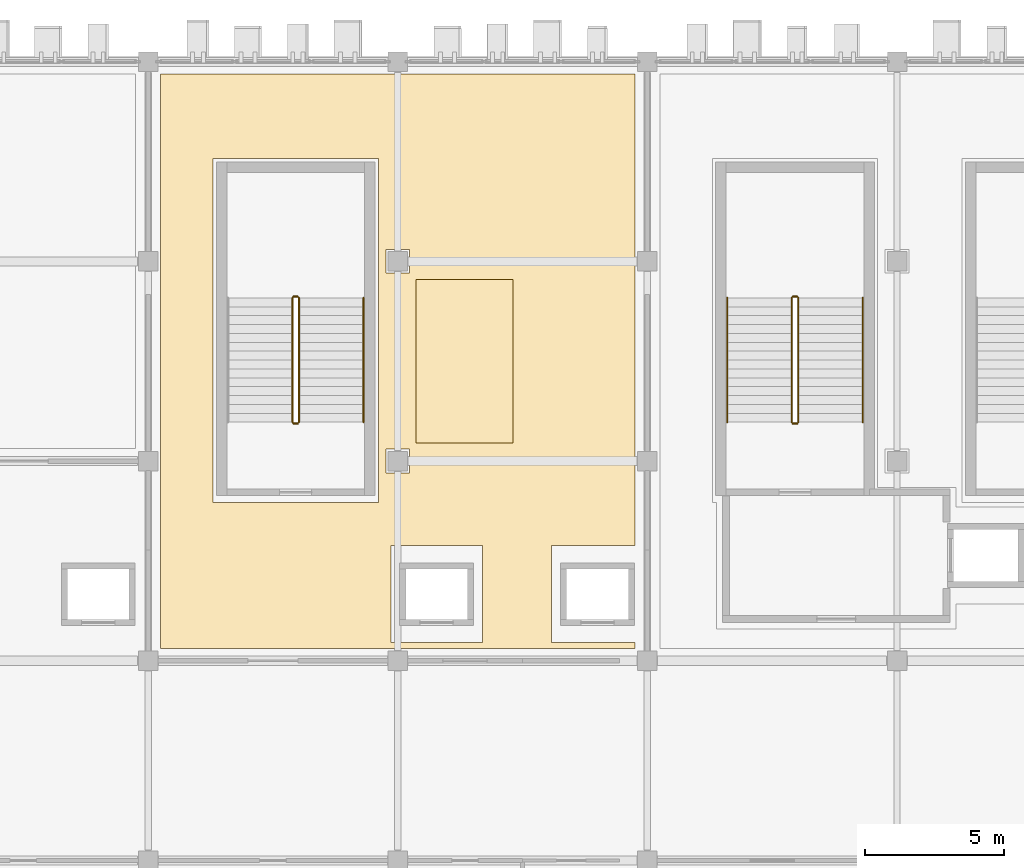
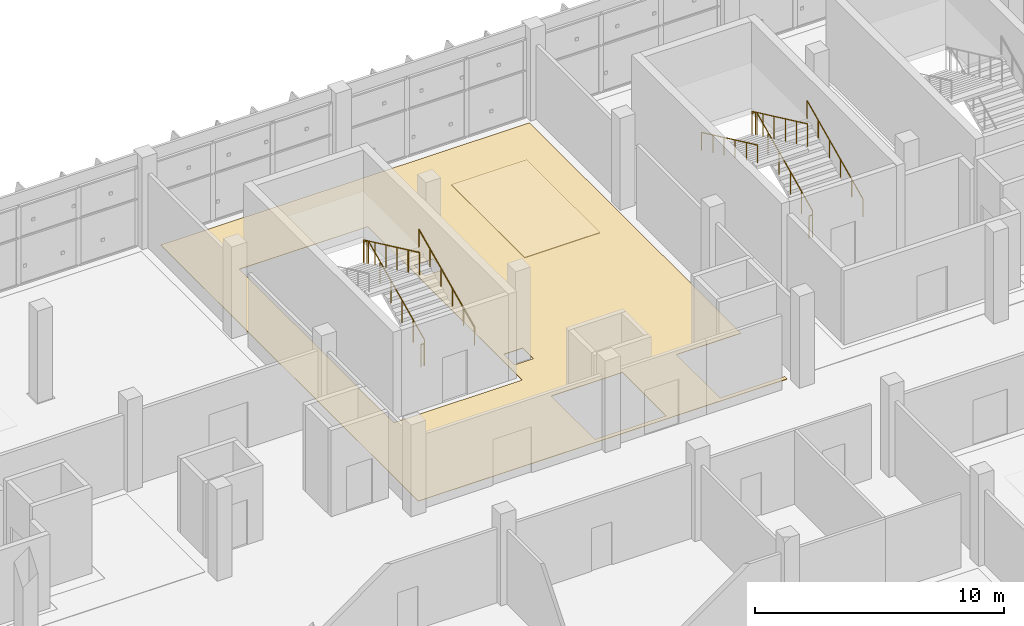
# One storey, part 141 of 151: 11 railings, 2 coverings.
"""IFC4 building model written with IfcOpenShell, lengths in metres."""

from ifc_helpers import new_model, si_unit, direction, frame, origin, origin_2d, place, context, subcontext, project, spatial, polyline, circle, outline, extrude, material, layer, layer_set, type_object, element, save


model = new_model("IFC4")

# Units and contexts
model_context = context("Model", 3, precision=1e-05, world=origin(), true_north=direction((0.0, 1.0)))
body_context = subcontext(model_context, "Body", "Model", "MODEL_VIEW")
ifc_project = project(units=[si_unit("LENGTHUNIT", "METRE"), si_unit("AREAUNIT", "SQUARE_METRE"), si_unit("VOLUMEUNIT", "CUBIC_METRE"), si_unit("PLANEANGLEUNIT", "RADIAN"), si_unit("MASSUNIT", "GRAM", prefix="KILO")], contexts=[model_context])

# Site, building, storey
site_placement = place(None, origin())
site = spatial("IfcSite", under=ifc_project, at=site_placement, CompositionType="ELEMENT")
building_placement = place(site_placement, origin())
building = spatial("IfcBuilding", under=site, at=building_placement, Name="Celestram Park Convention Centre", CompositionType="ELEMENT")
storey_placement = place(building_placement, frame((0.0, 0.0, 10.800048828125)))
storey = spatial("IfcBuildingStorey", under=building, at=storey_placement, Name="L02", CompositionType="ELEMENT", Elevation=10.800048828125)

# Coverings
ifc_material_1 = material(Name="Perforated Acoustic Mineral-Fibre Baffle Ceiling", Category="gypsum")
ifc_layer_1 = layer(ifc_material_1, 0.0400390625)
ifc_layer_set_1 = layer_set([ifc_layer_1], Name="Perforated Acoustic Mineral-Fibre Baffle Ceiling")
covering_type_1 = type_object("IfcCoveringType", Name="ARC-COV-CLG040", PredefinedType="CEILING", material=ifc_layer_set_1)
covering_1_placement = place(storey_placement, frame((0.0, 0.0, 4.2099609375)))
element("IfcCovering", 1, at=covering_1_placement, inside=storey, type_object=covering_type_1, Name="Symposium Hall 203 acoustic baffle ceiling", PredefinedType="CEILING", context=body_context, shape_type="SweptSolid", body=[
    extrude(outline(polyline([(72.64990234375, 151.85009765625), (76.14990234375, 151.85009765625), (76.14990234375, 157.75), (72.64990234375, 157.75), (72.64990234375, 151.85009765625)])), origin(), (0.0, 0.0, 1.0), 0.0400390625),
])
ifc_material_2 = material(Name="Polished Lakefront Aggregate Terrazzo Flooring", Category="concrete")
ifc_layer_2 = layer(ifc_material_2, 0.02001953125)
ifc_layer_set_2 = layer_set([ifc_layer_2], Name="Polished Lakefront Aggregate Terrazzo Flooring")
covering_type_2 = type_object("IfcCoveringType", Name="ARC-COV-FLR020", PredefinedType="FLOORING", material=ifc_layer_set_2)
covering_2_placement = place(storey_placement, origin())
element("IfcCovering", 2, at=covering_2_placement, inside=storey, type_object=covering_type_2, Name="Symposium Hall 203 terrazzo flooring", PredefinedType="FLOORING", context=body_context, shape_type="SweptSolid", body=[
    extrude(outline(polyline([(63.449951171875, 165.14990234375), (80.550048828125, 165.14990234375), (80.550048828125, 148.14990234375), (77.550048828125, 148.14990234375), (77.550048828125, 144.64990234375), (80.550048828125, 144.64990234375), (80.550048828125, 144.449951171875), (63.449951171875, 144.449951171875), (63.449951171875, 165.14990234375)]), holes=[polyline([(75.050048828125, 144.64990234375), (75.050048828125, 148.14990234375), (71.75, 148.14990234375), (71.75, 144.64990234375), (75.050048828125, 144.64990234375)]), polyline([(71.300048828125, 149.699951171875), (71.300048828125, 162.10009765625), (65.340087890625, 162.10009765625), (65.340087890625, 149.699951171875), (71.300048828125, 149.699951171875)]), polyline([(72.427978515625, 151.6279296875), (71.572021484375, 151.6279296875), (71.572021484375, 150.77197265625), (72.427978515625, 150.77197265625), (72.427978515625, 151.6279296875)]), polyline([(72.427978515625, 158.827880859375), (71.572021484375, 158.827880859375), (71.572021484375, 157.971923828125), (72.427978515625, 157.971923828125), (72.427978515625, 158.827880859375)])]), origin(), (0.0, 0.0, 1.0), 0.02001953125),
])

# Railings
ifc_material_3 = material(Name="Stainless Steel AISI 316L & Laminated Glass", Category="steel")
ifc_layer_3 = layer(ifc_material_3, 0.06005859375)
ifc_layer_set_3 = layer_set([ifc_layer_3], Name="Stainless Steel AISI 316L & Laminated Glass")
railing_type_1 = type_object("IfcRailingType", Name="ARC-RL-GRD1120", PredefinedType="GUARDRAIL", material=ifc_layer_set_3)
railing_1_placement = place(storey_placement, frame((86.43603515625, 152.60009765625, 0.14990234375)))
element("IfcRailing", 3, at=railing_1_placement, inside=storey, type_object=railing_type_1, Name="L02 ST-02 stair guard 1", PredefinedType="GUARDRAIL", context=body_context, shape_type="SweptSolid", body=[
    extrude(circle(Radius=0.02392578125, at=origin_2d()), frame((0.0, 0.0, 1.09619140625), z_axis=(0.0, 0.905450639465, 0.424451574969), x_axis=(-1.0, 0.0, 0.0)), (0.0, 0.0, 1.0), 4.94775390625),
    extrude(circle(Radius=0.02099609375, at=origin_2d()), origin(), (0.0, 0.0, 1.0), 1.072021484375),
    extrude(circle(Radius=0.02099609375, at=origin_2d()), frame((0.0, 0.89599609375, 0.419921875)), (0.0, 0.0, 1.0), 1.072021484375),
    extrude(circle(Radius=0.02099609375, at=origin_2d()), frame((0.0, 1.7919921875, 0.840087890625)), (0.0, 0.0, 1.0), 1.072021484375),
    extrude(circle(Radius=0.02099609375, at=origin_2d()), frame((0.0, 2.68798828125, 1.260009765625)), (0.0, 0.0, 1.0), 1.072021484375),
    extrude(circle(Radius=0.02099609375, at=origin_2d()), frame((0.0, 3.583984375, 1.68017578125)), (0.0, 0.0, 1.0), 1.072021484375),
    extrude(circle(Radius=0.02099609375, at=origin_2d()), frame((0.0, 4.47998046875, 2.10009765625)), (0.0, 0.0, 1.0), 1.072021484375),
])
railing_2_placement = place(storey_placement, frame((86.39990234375, 157.1298828125, 2.25)))
element("IfcRailing", 4, at=railing_2_placement, inside=storey, type_object=railing_type_1, Name="L02 ST-02 stair guard 2", PredefinedType="GUARDRAIL", context=body_context, shape_type="SweptSolid", body=[
    extrude(circle(Radius=0.02392578125, at=origin_2d()), frame((0.0, 0.0, 1.09619140625), z_axis=(-1.0, 0.0, 0.0), x_axis=(0.0, -1.0, 0.0)), (0.0, 0.0, 1.0), 0.159912109375),
    extrude(circle(Radius=0.02099609375, at=origin_2d()), origin(), (0.0, 0.0, 1.0), 1.072021484375),
    extrude(circle(Radius=0.02099609375, at=origin_2d()), frame((-0.159912109375, 0.0, 0.0)), (0.0, 0.0, 1.0), 1.072021484375),
])
railing_3_placement = place(storey_placement, frame((86.2041015625, 157.080078125, 2.39990234375)))
element("IfcRailing", 5, at=railing_3_placement, inside=storey, type_object=railing_type_1, Name="L02 ST-02 stair guard 3", PredefinedType="GUARDRAIL", context=body_context, shape_type="SweptSolid", body=[
    extrude(circle(Radius=0.02392578125, at=origin_2d()), frame((0.0, 0.0, 1.09619140625), z_axis=(0.0, -0.905450639465, 0.424451574969), x_axis=(1.0, 0.0, 0.0)), (0.0, 0.0, 1.0), 4.94775390625),
    extrude(circle(Radius=0.02099609375, at=origin_2d()), origin(), (0.0, 0.0, 1.0), 1.072021484375),
    extrude(circle(Radius=0.02099609375, at=origin_2d()), frame((0.0, -0.89599609375, 0.419921875)), (0.0, 0.0, 1.0), 1.072021484375),
    extrude(circle(Radius=0.02099609375, at=origin_2d()), frame((0.0, -1.7919921875, 0.840087890625)), (0.0, 0.0, 1.0), 1.072021484375),
    extrude(circle(Radius=0.02099609375, at=origin_2d()), frame((0.0, -2.68798828125, 1.260009765625)), (0.0, 0.0, 1.0), 1.072021484375),
    extrude(circle(Radius=0.02099609375, at=origin_2d()), frame((0.0, -3.583984375, 1.68017578125)), (0.0, 0.0, 1.0), 1.072021484375),
    extrude(circle(Radius=0.02099609375, at=origin_2d()), frame((0.0, -4.47998046875, 2.10009765625)), (0.0, 0.0, 1.0), 1.072021484375),
])
railing_4_placement = place(storey_placement, frame((86.39990234375, 152.550048828125, 0.0)))
element("IfcRailing", 6, at=railing_4_placement, inside=storey, type_object=railing_type_1, Name="L02 ST-02 stair guard 4", PredefinedType="GUARDRAIL", context=body_context, shape_type="SweptSolid", body=[
    extrude(circle(Radius=0.02392578125, at=origin_2d()), frame((0.0, 0.0, 1.09619140625), z_axis=(-1.0, 0.0, 0.0), x_axis=(0.0, -1.0, 0.0)), (0.0, 0.0, 1.0), 0.159912109375),
    extrude(circle(Radius=0.02099609375, at=origin_2d()), origin(), (0.0, 0.0, 1.0), 1.072021484375),
    extrude(circle(Radius=0.02099609375, at=origin_2d()), frame((-0.159912109375, 0.0, 0.0)), (0.0, 0.0, 1.0), 1.072021484375),
])
railing_5_placement = place(storey_placement, frame((68.43603515625, 152.60009765625, 0.14990234375)))
element("IfcRailing", 7, at=railing_5_placement, inside=storey, type_object=railing_type_1, Name="L02 ST-14 stair guard 1", PredefinedType="GUARDRAIL", context=body_context, shape_type="SweptSolid", body=[
    extrude(circle(Radius=0.02392578125, at=origin_2d()), frame((0.0, 0.0, 1.09619140625), z_axis=(0.0, 0.905450639465, 0.424451574969), x_axis=(-1.0, 0.0, 0.0)), (0.0, 0.0, 1.0), 4.94775390625),
    extrude(circle(Radius=0.02099609375, at=origin_2d()), origin(), (0.0, 0.0, 1.0), 1.072021484375),
    extrude(circle(Radius=0.02099609375, at=origin_2d()), frame((0.0, 0.89599609375, 0.419921875)), (0.0, 0.0, 1.0), 1.072021484375),
    extrude(circle(Radius=0.02099609375, at=origin_2d()), frame((0.0, 1.7919921875, 0.840087890625)), (0.0, 0.0, 1.0), 1.072021484375),
    extrude(circle(Radius=0.02099609375, at=origin_2d()), frame((0.0, 2.68798828125, 1.260009765625)), (0.0, 0.0, 1.0), 1.072021484375),
    extrude(circle(Radius=0.02099609375, at=origin_2d()), frame((0.0, 3.583984375, 1.68017578125)), (0.0, 0.0, 1.0), 1.072021484375),
    extrude(circle(Radius=0.02099609375, at=origin_2d()), frame((0.0, 4.47998046875, 2.10009765625)), (0.0, 0.0, 1.0), 1.072021484375),
])
railing_6_placement = place(storey_placement, frame((68.39990234375, 157.1298828125, 2.25)))
element("IfcRailing", 8, at=railing_6_placement, inside=storey, type_object=railing_type_1, Name="L02 ST-14 stair guard 2", PredefinedType="GUARDRAIL", context=body_context, shape_type="SweptSolid", body=[
    extrude(circle(Radius=0.02392578125, at=origin_2d()), frame((0.0, 0.0, 1.09619140625), z_axis=(-1.0, 0.0, 0.0), x_axis=(0.0, -1.0, 0.0)), (0.0, 0.0, 1.0), 0.159912109375),
    extrude(circle(Radius=0.02099609375, at=origin_2d()), origin(), (0.0, 0.0, 1.0), 1.072021484375),
    extrude(circle(Radius=0.02099609375, at=origin_2d()), frame((-0.159912109375, 0.0, 0.0)), (0.0, 0.0, 1.0), 1.072021484375),
])
railing_7_placement = place(storey_placement, frame((68.2041015625, 157.080078125, 2.39990234375)))
element("IfcRailing", 9, at=railing_7_placement, inside=storey, type_object=railing_type_1, Name="L02 ST-14 stair guard 3", PredefinedType="GUARDRAIL", context=body_context, shape_type="SweptSolid", body=[
    extrude(circle(Radius=0.02392578125, at=origin_2d()), frame((0.0, 0.0, 1.09619140625), z_axis=(0.0, -0.905450639465, 0.424451574969), x_axis=(1.0, 0.0, 0.0)), (0.0, 0.0, 1.0), 4.94775390625),
    extrude(circle(Radius=0.02099609375, at=origin_2d()), origin(), (0.0, 0.0, 1.0), 1.072021484375),
    extrude(circle(Radius=0.02099609375, at=origin_2d()), frame((0.0, -0.89599609375, 0.419921875)), (0.0, 0.0, 1.0), 1.072021484375),
    extrude(circle(Radius=0.02099609375, at=origin_2d()), frame((0.0, -1.7919921875, 0.840087890625)), (0.0, 0.0, 1.0), 1.072021484375),
    extrude(circle(Radius=0.02099609375, at=origin_2d()), frame((0.0, -2.68798828125, 1.260009765625)), (0.0, 0.0, 1.0), 1.072021484375),
    extrude(circle(Radius=0.02099609375, at=origin_2d()), frame((0.0, -3.583984375, 1.68017578125)), (0.0, 0.0, 1.0), 1.072021484375),
    extrude(circle(Radius=0.02099609375, at=origin_2d()), frame((0.0, -4.47998046875, 2.10009765625)), (0.0, 0.0, 1.0), 1.072021484375),
])
railing_8_placement = place(storey_placement, frame((68.39990234375, 152.550048828125, 0.0)))
element("IfcRailing", 10, at=railing_8_placement, inside=storey, type_object=railing_type_1, Name="L02 ST-14 stair guard 4", PredefinedType="GUARDRAIL", context=body_context, shape_type="SweptSolid", body=[
    extrude(circle(Radius=0.02392578125, at=origin_2d()), frame((0.0, 0.0, 1.09619140625), z_axis=(-1.0, 0.0, 0.0), x_axis=(0.0, -1.0, 0.0)), (0.0, 0.0, 1.0), 0.159912109375),
    extrude(circle(Radius=0.02099609375, at=origin_2d()), origin(), (0.0, 0.0, 1.0), 1.072021484375),
    extrude(circle(Radius=0.02099609375, at=origin_2d()), frame((-0.159912109375, 0.0, 0.0)), (0.0, 0.0, 1.0), 1.072021484375),
])
ifc_material_4 = material(Name="Brushed Stainless Steel AISI 304", Category="steel")
ifc_layer_4 = layer(ifc_material_4, 0.048095703125)
ifc_layer_set_4 = layer_set([ifc_layer_4], Name="Brushed Stainless Steel AISI 304")
railing_type_2 = type_object("IfcRailingType", Name="ARC-RL-HND915", PredefinedType="HANDRAIL", material=ifc_layer_set_4)
railing_9_placement = place(storey_placement, frame((88.763916015625, 152.60009765625, 0.14990234375)))
element("IfcRailing", 11, at=railing_9_placement, inside=storey, type_object=railing_type_2, Name="L02 ST-02 stair handrail 1", PredefinedType="HANDRAIL", context=body_context, shape_type="SweptSolid", body=[
    extrude(circle(Radius=0.02392578125, at=origin_2d()), frame((0.0, 0.0, 0.8759765625), z_axis=(0.0, 0.905450639465, 0.424451574969), x_axis=(-1.0, 0.0, 0.0)), (0.0, 0.0, 1.0), 4.94775390625),
    extrude(circle(Radius=0.02099609375, at=origin_2d()), origin(), (0.0, 0.0, 1.0), 0.851806640625),
    extrude(circle(Radius=0.02099609375, at=origin_2d()), frame((0.0, 0.89599609375, 0.419921875)), (0.0, 0.0, 1.0), 0.851806640625),
    extrude(circle(Radius=0.02099609375, at=origin_2d()), frame((0.0, 1.7919921875, 0.840087890625)), (0.0, 0.0, 1.0), 0.851806640625),
    extrude(circle(Radius=0.02099609375, at=origin_2d()), frame((0.0, 2.68798828125, 1.260009765625)), (0.0, 0.0, 1.0), 0.851806640625),
    extrude(circle(Radius=0.02099609375, at=origin_2d()), frame((0.0, 3.583984375, 1.68017578125)), (0.0, 0.0, 1.0), 0.851806640625),
    extrude(circle(Radius=0.02099609375, at=origin_2d()), frame((0.0, 4.47998046875, 2.10009765625)), (0.0, 0.0, 1.0), 0.851806640625),
])
railing_10_placement = place(storey_placement, frame((83.8759765625, 157.080078125, 2.39990234375)))
element("IfcRailing", 12, at=railing_10_placement, inside=storey, type_object=railing_type_2, Name="L02 ST-02 stair handrail 2", PredefinedType="HANDRAIL", context=body_context, shape_type="SweptSolid", body=[
    extrude(circle(Radius=0.02392578125, at=origin_2d()), frame((0.0, 0.0, 0.8759765625), z_axis=(0.0, -0.905450639465, 0.424451574969), x_axis=(1.0, 0.0, 0.0)), (0.0, 0.0, 1.0), 4.94775390625),
    extrude(circle(Radius=0.02099609375, at=origin_2d()), origin(), (0.0, 0.0, 1.0), 0.851806640625),
    extrude(circle(Radius=0.02099609375, at=origin_2d()), frame((0.0, -0.89599609375, 0.419921875)), (0.0, 0.0, 1.0), 0.851806640625),
    extrude(circle(Radius=0.02099609375, at=origin_2d()), frame((0.0, -1.7919921875, 0.840087890625)), (0.0, 0.0, 1.0), 0.851806640625),
    extrude(circle(Radius=0.02099609375, at=origin_2d()), frame((0.0, -2.68798828125, 1.260009765625)), (0.0, 0.0, 1.0), 0.851806640625),
    extrude(circle(Radius=0.02099609375, at=origin_2d()), frame((0.0, -3.583984375, 1.68017578125)), (0.0, 0.0, 1.0), 0.851806640625),
    extrude(circle(Radius=0.02099609375, at=origin_2d()), frame((0.0, -4.47998046875, 2.10009765625)), (0.0, 0.0, 1.0), 0.851806640625),
])
railing_11_placement = place(storey_placement, frame((70.763916015625, 152.60009765625, 0.14990234375)))
element("IfcRailing", 13, at=railing_11_placement, inside=storey, type_object=railing_type_2, Name="L02 ST-14 stair handrail 1", PredefinedType="HANDRAIL", context=body_context, shape_type="SweptSolid", body=[
    extrude(circle(Radius=0.02392578125, at=origin_2d()), frame((0.0, 0.0, 0.8759765625), z_axis=(0.0, 0.905450639465, 0.424451574969), x_axis=(-1.0, 0.0, 0.0)), (0.0, 0.0, 1.0), 4.94775390625),
    extrude(circle(Radius=0.02099609375, at=origin_2d()), origin(), (0.0, 0.0, 1.0), 0.851806640625),
    extrude(circle(Radius=0.02099609375, at=origin_2d()), frame((0.0, 0.89599609375, 0.419921875)), (0.0, 0.0, 1.0), 0.851806640625),
    extrude(circle(Radius=0.02099609375, at=origin_2d()), frame((0.0, 1.7919921875, 0.840087890625)), (0.0, 0.0, 1.0), 0.851806640625),
    extrude(circle(Radius=0.02099609375, at=origin_2d()), frame((0.0, 2.68798828125, 1.260009765625)), (0.0, 0.0, 1.0), 0.851806640625),
    extrude(circle(Radius=0.02099609375, at=origin_2d()), frame((0.0, 3.583984375, 1.68017578125)), (0.0, 0.0, 1.0), 0.851806640625),
    extrude(circle(Radius=0.02099609375, at=origin_2d()), frame((0.0, 4.47998046875, 2.10009765625)), (0.0, 0.0, 1.0), 0.851806640625),
])

save(model, "model.ifc")
